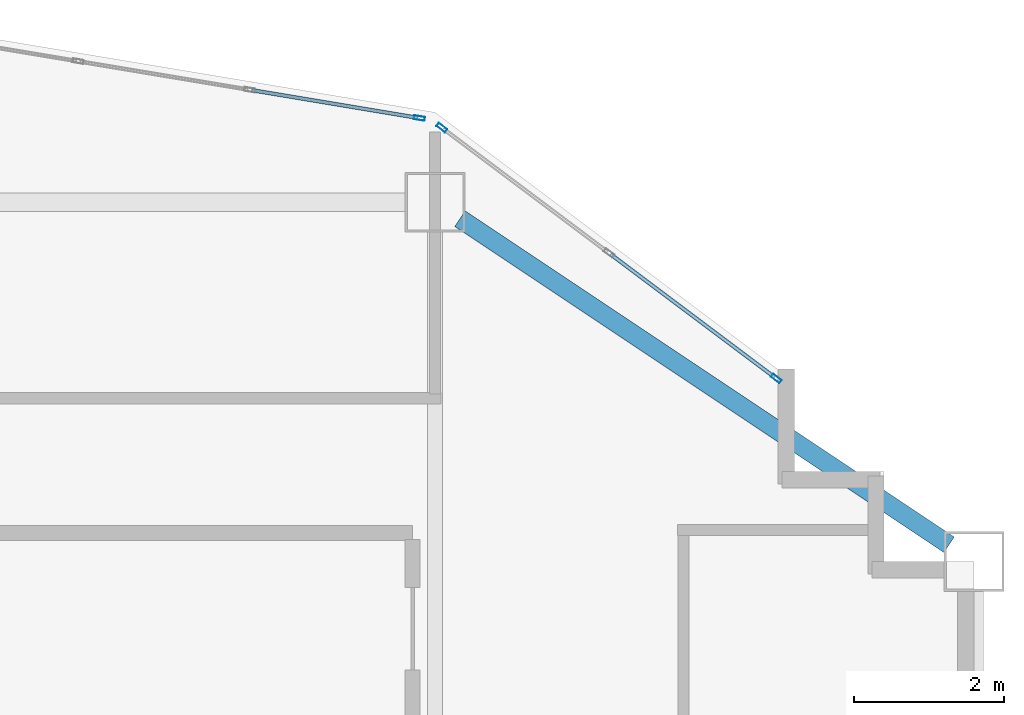
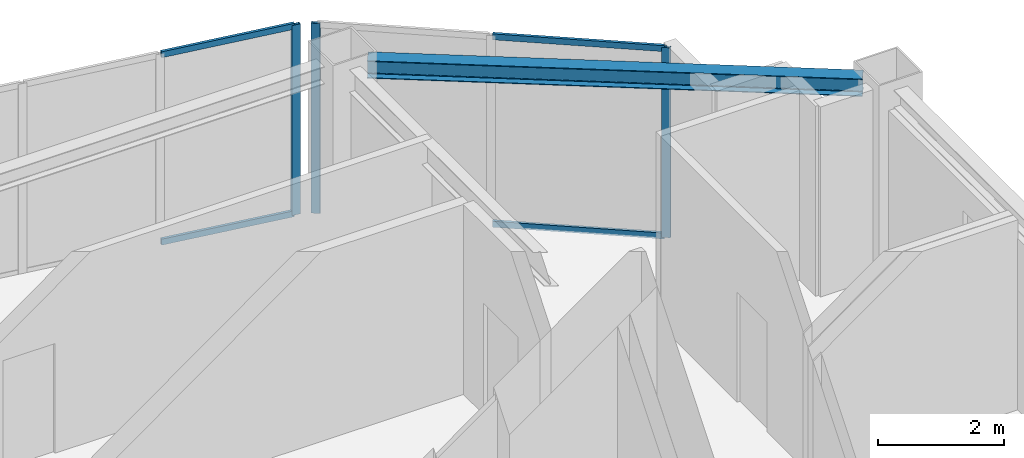
# One storey, part 3 of 9: 7 members, 1 beam, 2 elements without a shape of their own.
"""IFC4 building model written with IfcOpenShell, lengths in metres."""

import ifcopenshell
import ifcopenshell.guid

model = None  # the IFC model being written
_history = None  # IfcOwnerHistory: only IFC2X3 demands one
_inside = {}  # id of a spatial element -> (the spatial element, [elements in it])
_under = {}  # id of a project, library or spatial element -> (it, [spatial elements below it])
_declared = {}  # id of a project -> (the project, [libraries it declares])
_typed = {}  # id of a type object -> (the type object, [elements of that type])
_made_of = {}  # id of a material, layer set ... -> (it, [elements and type objects made of it])


def new_model(schema):
    """Start an empty IFC model of exactly this schema.

    Asked for "IFC4X3", IfcOpenShell would pick the latest addendum, in which some entities
    have other attributes; the version numbers below select the first issue.
    IFC2X3 requires an IfcOwnerHistory on every rooted entity: one is made here for all.
    """
    global model, _history
    if schema == "IFC4X3":
        model = ifcopenshell.file(schema_version=(4, 3, 0, 0))
    else:
        model = ifcopenshell.file(schema=schema)
    _inside.clear()
    _under.clear()
    _declared.clear()
    _typed.clear()
    _made_of.clear()
    _history = None
    if model.schema == "IFC2X3":
        org = make("IfcOrganization", Name="unknown")
        user = make(
            "IfcPersonAndOrganization",
            ThePerson=make("IfcPerson", FamilyName="unknown"),
            TheOrganization=org,
        )
        app = make(
            "IfcApplication",
            ApplicationDeveloper=org,
            Version="unknown",
            ApplicationFullName="unknown",
            ApplicationIdentifier="unknown",
        )
        _history = make(
            "IfcOwnerHistory",
            OwningUser=user,
            OwningApplication=app,
            ChangeAction="ADDED",
            CreationDate=0,
        )
    return model


def make(cls, **values):
    """One entity of the class cls with the attributes given. An attribute that is None is left unset."""
    return model.create_entity(
        cls, **{name: value for name, value in values.items() if value is not None}
    )


def rooted(cls, **values):
    """An entity with a GlobalId (a new one), such as an element, a storey or a relation."""
    return make(cls, GlobalId=ifcopenshell.guid.new(), OwnerHistory=_history, **values)


def si_unit(unit_type, name, prefix=None):
    """IfcSIUnit, for example si_unit("LENGTHUNIT", "METRE", prefix="MILLI")."""
    return make("IfcSIUnit", UnitType=unit_type, Prefix=prefix, Name=name)


def assignment(units):
    """IfcUnitAssignment: the units of a project."""
    return None if units is None else make("IfcUnitAssignment", Units=units)


def point(xyz):
    """IfcCartesianPoint."""
    return None if xyz is None else make("IfcCartesianPoint", Coordinates=xyz)


def direction(xyz):
    """IfcDirection."""
    return None if xyz is None else make("IfcDirection", DirectionRatios=xyz)


def frame(location, z_axis=None, x_axis=None):
    """IfcAxis2Placement3D, a coordinate frame: its origin and axes. An axis left out is left unset."""
    return make(
        "IfcAxis2Placement3D",
        Location=point(location),
        Axis=direction(z_axis),
        RefDirection=direction(x_axis),
    )


def frame_2d(location, x_axis=None):
    """IfcAxis2Placement2D, a coordinate frame in the plane: its origin and x axis."""
    return make(
        "IfcAxis2Placement2D", Location=point(location), RefDirection=direction(x_axis)
    )


def origin():
    """The frame at (0, 0, 0) with its axes left unset."""
    return frame((0.0, 0.0, 0.0))


def origin_2d():
    """The frame at (0, 0) in the plane with its x axis left unset."""
    return frame_2d((0.0, 0.0))


def place(relative_to, where):
    """IfcLocalPlacement: puts the frame where relative to a parent placement (None: the world)."""
    return make(
        "IfcLocalPlacement", PlacementRelTo=relative_to, RelativePlacement=where
    )


def context(
    kind, dimensions, precision=None, world=None, true_north=None, identifier=None
):
    """IfcGeometricRepresentationContext, for example the 3D "Model" context."""
    return make(
        "IfcGeometricRepresentationContext",
        ContextIdentifier=identifier,
        ContextType=kind,
        CoordinateSpaceDimension=dimensions,
        Precision=precision,
        WorldCoordinateSystem=world,
        TrueNorth=true_north,
    )


def subcontext(parent, identifier, kind, view, scale=None):
    """IfcGeometricRepresentationSubContext, for example "Body" below "Model"."""
    return make(
        "IfcGeometricRepresentationSubContext",
        ContextIdentifier=identifier,
        ContextType=kind,
        ParentContext=parent,
        TargetScale=scale,
        TargetView=view,
    )


def project(units=None, contexts=None):
    """IfcProject with its units and contexts."""
    return rooted(
        "IfcProject",
        Name="project",
        RepresentationContexts=contexts,
        UnitsInContext=assignment(units),
    )


def spatial(cls, under=None, at=None, **own):
    """A site, building, storey or space (cls), placed at a placement, below another one or the project."""
    s = rooted(cls, ObjectPlacement=at, **own)
    if under is not None:
        _under.setdefault(under.id(), (under, []))[1].append(s)
    return s


def profile(cls, at=None, kind="AREA", **sizes):
    """A parametric profile (cls). Its sizes go by their IFC names, for example OverallWidth=200.0."""
    return make(cls, ProfileType=kind, Position=at, **sizes)


def hollow_rectangle(**sizes):
    """IfcRectangleHollowProfileDef."""
    return profile("IfcRectangleHollowProfileDef", **sizes)


def i_section(**sizes):
    """IfcIShapeProfileDef."""
    return profile("IfcIShapeProfileDef", **sizes)


def extrude(swept, where, along, depth):
    """IfcExtrudedAreaSolid: the profile swept, set in the frame where, extruded along a direction by depth."""
    return make(
        "IfcExtrudedAreaSolid",
        SweptArea=swept,
        Position=where,
        ExtrudedDirection=direction(along),
        Depth=depth,
    )


def shape(context_of_items, identifier, shape_type, items):
    """IfcShapeRepresentation: the items that make up one representation, for example the "Body"."""
    return make(
        "IfcShapeRepresentation",
        ContextOfItems=context_of_items,
        RepresentationIdentifier=identifier,
        RepresentationType=shape_type,
        Items=items,
    )


def material(Name=None, Category=None):
    """IfcMaterial."""
    return make("IfcMaterial", Name=Name, Category=Category)


def layer(
    of_material, thickness, ventilated=None, Name=None, Category=None, Priority=None
):
    """IfcMaterialLayer: one layer of a wall or slab, of a material (None: an air gap)."""
    return make(
        "IfcMaterialLayer",
        Material=of_material,
        LayerThickness=thickness,
        IsVentilated=ventilated,
        Name=Name,
        Category=Category,
        Priority=Priority,
    )


def layer_set(layers, Name=None):
    """IfcMaterialLayerSet."""
    return make("IfcMaterialLayerSet", MaterialLayers=layers, LayerSetName=Name)


def material_profile(
    of_material, cross_section, Name=None, Category=None, Priority=None
):
    """IfcMaterialProfile: a cross section and its material."""
    return make(
        "IfcMaterialProfile",
        Name=Name,
        Material=of_material,
        Profile=cross_section,
        Priority=Priority,
        Category=Category,
    )


def profile_set(profiles, Name=None, composite=None):
    """IfcMaterialProfileSet."""
    return make(
        "IfcMaterialProfileSet",
        Name=Name,
        MaterialProfiles=profiles,
        CompositeProfile=composite,
    )


def made_of(thing, what):
    """Note that an element or type object is made of a material, layer set ...; save() writes the relation."""
    if what is not None:
        _made_of.setdefault(what.id(), (what, []))[1].append(thing)
    return thing


def type_object(cls, material=None, **own):
    """A type object (cls), such as IfcWallType, which elements share."""
    return made_of(rooted(cls, **own), material)


def element(
    cls,
    number,
    at=None,
    inside=None,
    cuts=None,
    type_object=None,
    material=None,
    context=None,
    identifier="Body",
    shape_type=None,
    held_by="IfcProductDefinitionShape",
    body=None,
    shapes=None,
    **own,
):
    """One element of the class cls, such as IfcWall. Its Tag is "e" and its number.

    at: its placement. inside: the storey or other place that contains it. cuts: it is an
    opening in that element (IfcRelVoidsElement). A single representation is given by context,
    identifier, shape_type and body (its items); several are given by shapes. held_by: the class
    of the entity that holds the representations. save() writes the other relations.
    """
    e = rooted(cls, Tag="e%d" % number, ObjectPlacement=at, **own)
    if body is not None:
        shapes = [shape(context, identifier, shape_type, body)]
    if shapes is not None:
        e.Representation = make(held_by, Representations=shapes)
    if inside is not None:
        _inside.setdefault(inside.id(), (inside, []))[1].append(e)
    if cuts is not None:
        rooted(
            "IfcRelVoidsElement", RelatingBuildingElement=cuts, RelatedOpeningElement=e
        )
    if type_object is not None:
        _typed.setdefault(type_object.id(), (type_object, []))[1].append(e)
    return made_of(e, material)


def aggregate(whole, parts):
    """IfcRelAggregates: a whole, such as a stair, and the parts it consists of."""
    return rooted("IfcRelAggregates", RelatingObject=whole, RelatedObjects=parts)


def save(model, path):
    """Write the relations noted so far, then the file.

    IfcRelAggregates (storeys below a building ...), IfcRelContainedInSpatialStructure (elements
    in a storey), IfcRelDefinesByType, IfcRelAssociatesMaterial and IfcRelDeclares: one each for
    every whole, place, type object, material and project.
    """
    for whole, parts in _under.values():
        aggregate(whole, parts)
    for where, things in _inside.values():
        rooted(
            "IfcRelContainedInSpatialStructure",
            RelatedElements=things,
            RelatingStructure=where,
        )
    for kind, things in _typed.values():
        rooted("IfcRelDefinesByType", RelatedObjects=things, RelatingType=kind)
    for what, things in _made_of.values():
        rooted("IfcRelAssociatesMaterial", RelatedObjects=things, RelatingMaterial=what)
    for by, libraries in _declared.values():
        rooted("IfcRelDeclares", RelatingContext=by, RelatedDefinitions=libraries)
    model.write(path)


model = new_model("IFC4")

# Units and contexts
model_context = context("Model", 3, precision=1e-05, world=origin(), true_north=direction((0.0, 1.0)))
body_context = subcontext(model_context, "Body", "Model", "MODEL_VIEW")
ifc_project = project(units=[si_unit("LENGTHUNIT", "METRE"), si_unit("AREAUNIT", "SQUARE_METRE"), si_unit("VOLUMEUNIT", "CUBIC_METRE"), si_unit("PLANEANGLEUNIT", "RADIAN"), si_unit("MASSUNIT", "GRAM", prefix="KILO")], contexts=[model_context])

# Site, building, storey
site_placement = place(None, origin())
site = spatial("IfcSite", under=ifc_project, at=site_placement, CompositionType="ELEMENT")
building_placement = place(site_placement, origin())
building = spatial("IfcBuilding", under=site, at=building_placement, Name="Haolan Belvedere Tower", CompositionType="ELEMENT")
storey_placement = place(building_placement, frame((0.0, 0.0, 262.14990234375)))
storey = spatial("IfcBuildingStorey", under=building, at=storey_placement, Name="L66", CompositionType="ELEMENT", Elevation=262.14990234375)

# Beam
ifc_material_1 = material(Name="Steel Q355B", Category="steel")
ifc_material_profile_1 = material_profile(ifc_material_1, i_section(OverallWidth=0.25, OverallDepth=0.340087890625, WebThickness=0.009033203125, FlangeThickness=0.013916015625, FilletRadius=0.02001953125, at=origin_2d()), Name="Steel Q355B")
ifc_profile_set_1 = profile_set([ifc_material_profile_1], Name="Steel Q355B")
beam_type = type_object("IfcBeamType", Name="BM-HM340x250x9x14", PredefinedType="SPANDREL", material=ifc_profile_set_1)
beam_placement = place(storey_placement, frame((45.932861328125, 50.17822265625, 3.5), z_axis=(0.832040729016, -0.55471454394, 0.0), x_axis=(0.55471454394, 0.832040729016, 0.0)))
element("IfcBeam", 1, at=beam_placement, inside=storey, type_object=beam_type, Name="L66 spandrel girder MC-T3-N2-MC-T3-NE", PredefinedType="SPANDREL", context=body_context, shape_type="SweptSolid", body=[
    extrude(i_section(OverallWidth=0.25, OverallDepth=0.340087890625, WebThickness=0.009033203125, FlangeThickness=0.013916015625, FilletRadius=0.02001953125, at=origin_2d()), origin(), (0.0, 0.0, 1.0), 7.853515625),
])

# Curtain wall, members
ifc_material_2 = material(Name="Anodised champagne-silver aluminium 6063-T6 and Low-E glass", Category="aluminium")
ifc_layer = layer(ifc_material_2, 0.14501953125, Name="Anodised champagne-silver aluminium 6063-T6 and Low-E glass")
ifc_layer_set = layer_set([ifc_layer], Name="Anodised champagne-silver aluminium 6063-T6 and Low-E glass")
curtain_wall_type = type_object("IfcCurtainWallType", Name="CW-SYS-05", PredefinedType="NOTDEFINED", material=ifc_layer_set)
curtain_wall_1_placement = place(storey_placement, origin())
curtain_wall_1 = element("IfcCurtainWall", 2, at=curtain_wall_1_placement, inside=storey, type_object=curtain_wall_type, Name="L66 CW-SYS-05 ribbon curtain wall 8.1", PredefinedType="NOTDEFINED")
ifc_material_3 = material(Name="Anodised aluminium 6063-T6", Category="aluminium")
ifc_material_profile_2 = material_profile(ifc_material_3, hollow_rectangle(XDim=0.053955078125, YDim=0.14501953125, WallThickness=0.00390625, at=origin_2d()), Name="Anodised aluminium 6063-T6")
ifc_profile_set_2 = profile_set([ifc_material_profile_2], Name="Anodised aluminium 6063-T6")
member_type_1 = type_object("IfcMemberType", Name="CW-SYS-05-MUL", PredefinedType="MULLION", material=ifc_profile_set_2)
member_1_placement = place(storey_placement, frame((50.156494140625, 48.045166015625, 0.0), z_axis=(0.0, 0.0, 1.0), x_axis=(-0.600002837806, -0.799997871638, 0.0)))
member_1 = element("IfcMember", 3, at=member_1_placement, type_object=member_type_1, Name="CW-05 mullion 1", PredefinedType="MULLION", context=body_context, shape_type="SweptSolid", body=[
    extrude(hollow_rectangle(XDim=0.053955078125, YDim=0.14501953125, WallThickness=0.00390625, at=origin_2d()), origin(), (0.0, 0.0, 1.0), 3.670166015625),
])
member_2_placement = place(storey_placement, frame((45.689208984375, 51.395751953125, 0.0), z_axis=(0.0, 0.0, 1.0), x_axis=(-0.600002837806, -0.799997871638, 0.0)))
member_2 = element("IfcMember", 4, at=member_2_placement, type_object=member_type_1, Name="CW-05 mullion 3", PredefinedType="MULLION", context=body_context, shape_type="SweptSolid", body=[
    extrude(hollow_rectangle(XDim=0.053955078125, YDim=0.14501953125, WallThickness=0.00390625, at=origin_2d()), origin(), (0.0, 0.0, 1.0), 3.670166015625),
])

# Curtain wall, member
curtain_wall_2_placement = place(storey_placement, origin())
curtain_wall_2 = element("IfcCurtainWall", 5, at=curtain_wall_2_placement, inside=storey, type_object=curtain_wall_type, Name="L66 CW-SYS-05 ribbon curtain wall 9.1", PredefinedType="NOTDEFINED")
member_3_placement = place(storey_placement, frame((45.390869140625, 51.5234375, 0.0), z_axis=(0.0, 0.0, 1.0), x_axis=(-0.164405962825, -0.98639276122, 0.0)))
member_3 = element("IfcMember", 6, at=member_3_placement, type_object=member_type_1, Name="CW-05 mullion 1", PredefinedType="MULLION", context=body_context, shape_type="SweptSolid", body=[
    extrude(hollow_rectangle(XDim=0.053955078125, YDim=0.14501953125, WallThickness=0.00390625, at=origin_2d()), origin(), (0.0, 0.0, 1.0), 3.670166015625),
])

# Member
ifc_material_profile_3 = material_profile(ifc_material_3, hollow_rectangle(XDim=0.050048828125, YDim=0.114990234375, WallThickness=0.00390625, at=origin_2d()), Name="Anodised aluminium 6063-T6")
ifc_profile_set_3 = profile_set([ifc_material_profile_3], Name="Anodised aluminium 6063-T6")
member_type_2 = type_object("IfcMemberType", Name="CW-SYS-05-TRN", PredefinedType="USERDEFINED", material=ifc_profile_set_3)
member_4_placement = place(storey_placement, frame((50.134765625, 48.061279296875, 0.025146484375), z_axis=(-0.799957200433, 0.60005706185, 0.0), x_axis=(-0.60005706185, -0.799957200433, 0.0)))
member_4 = element("IfcMember", 7, at=member_4_placement, type_object=member_type_2, Name="CW-05 transom 1.1", ObjectType="TRANSOM", PredefinedType="USERDEFINED", context=body_context, shape_type="SweptSolid", body=[
    extrude(hollow_rectangle(XDim=0.050048828125, YDim=0.114990234375, WallThickness=0.00390625, at=origin_2d()), origin(), (0.0, 0.0, 1.0), 2.73828125),
])

member_5_placement = place(storey_placement, frame((50.134765625, 48.061279296875, 3.64501953125), z_axis=(-0.799957200433, 0.60005706185, 0.0), x_axis=(-0.60005706185, -0.799957200433, 0.0)))
member_5 = element("IfcMember", 8, at=member_5_placement, type_object=member_type_2, Name="CW-05 transom 1.2", ObjectType="TRANSOM", PredefinedType="USERDEFINED", context=body_context, shape_type="SweptSolid", body=[
    extrude(hollow_rectangle(XDim=0.050048828125, YDim=0.114990234375, WallThickness=0.00390625, at=origin_2d()), origin(), (0.0, 0.0, 1.0), 2.73828125),
])

aggregate(curtain_wall_1, [member_1, member_2, member_4, member_5])

member_6_placement = place(storey_placement, frame((45.364013671875, 51.52783203125, 0.025146484375), z_axis=(-0.986390982779, 0.164416632651, 0.0), x_axis=(-0.164416632651, -0.986390982779, 0.0)))
member_6 = element("IfcMember", 9, at=member_6_placement, type_object=member_type_2, Name="CW-05 transom 1.1", ObjectType="TRANSOM", PredefinedType="USERDEFINED", context=body_context, shape_type="SweptSolid", body=[
    extrude(hollow_rectangle(XDim=0.050048828125, YDim=0.114990234375, WallThickness=0.00390625, at=origin_2d()), origin(), (0.0, 0.0, 1.0), 2.24365234375),
])

member_7_placement = place(storey_placement, frame((45.364013671875, 51.52783203125, 3.64501953125), z_axis=(-0.986390982779, 0.164416632651, 0.0), x_axis=(-0.164416632651, -0.986390982779, 0.0)))
member_7 = element("IfcMember", 10, at=member_7_placement, type_object=member_type_2, Name="CW-05 transom 1.2", ObjectType="TRANSOM", PredefinedType="USERDEFINED", context=body_context, shape_type="SweptSolid", body=[
    extrude(hollow_rectangle(XDim=0.050048828125, YDim=0.114990234375, WallThickness=0.00390625, at=origin_2d()), origin(), (0.0, 0.0, 1.0), 2.24365234375),
])

aggregate(curtain_wall_2, [member_3, member_6, member_7])

save(model, "model.ifc")
